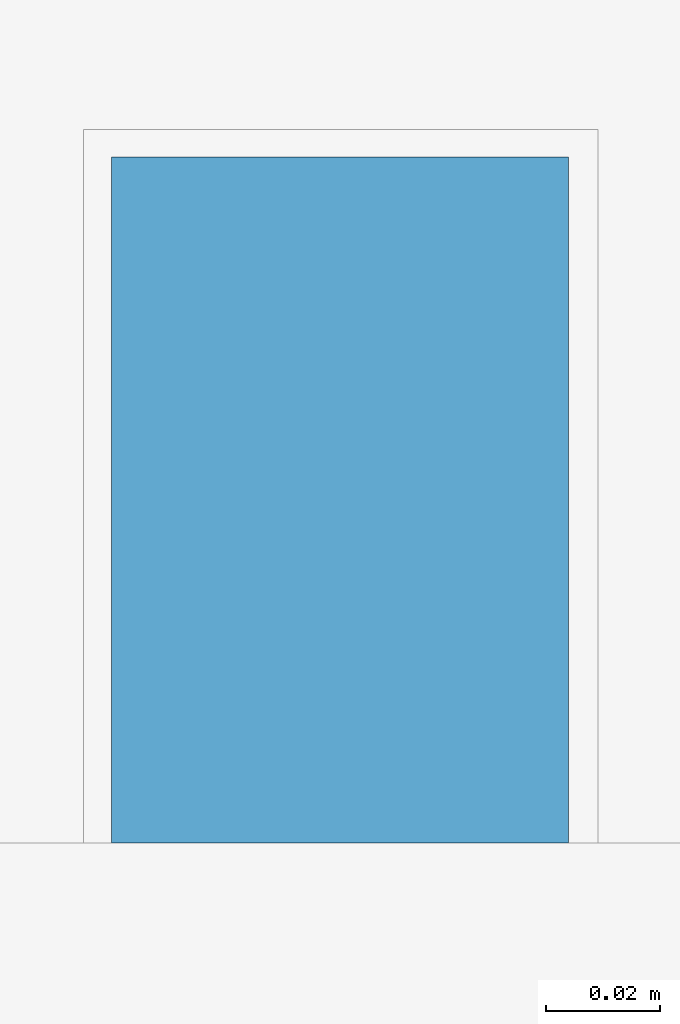
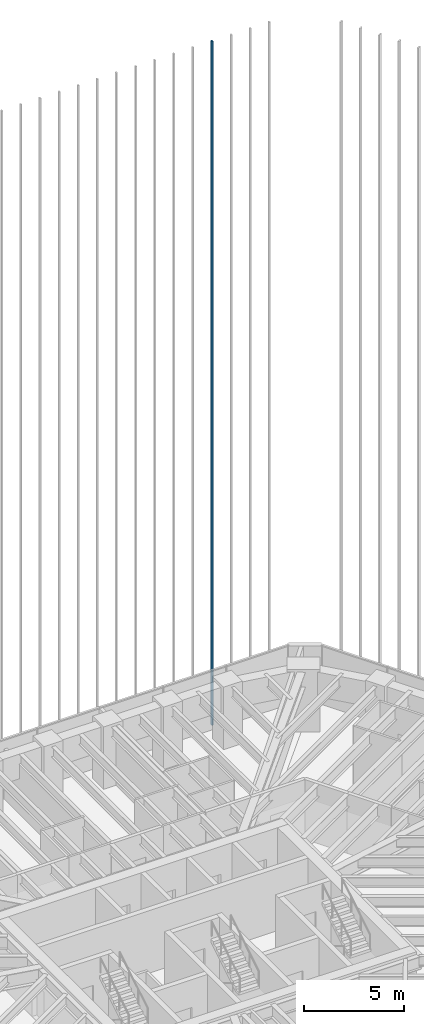
# One storey, part 103 of 127: 1 member, 1 element without a shape of its own.
"""IFC4 building model written with IfcOpenShell, lengths in metres."""

from ifc_helpers import new_model, si_unit, direction, frame, origin, origin_2d, place, context, subcontext, project, spatial, rectangle, extrude, material, material_profile, profile_set, type_object, element, aggregate, save


model = new_model("IFC4")

# Units and contexts
model_context = context("Model", 3, precision=1e-05, world=origin(), true_north=direction((0.0, 1.0)))
body_context = subcontext(model_context, "Body", "Model", "MODEL_VIEW")
ifc_project = project(units=[si_unit("LENGTHUNIT", "METRE"), si_unit("AREAUNIT", "SQUARE_METRE"), si_unit("VOLUMEUNIT", "CUBIC_METRE"), si_unit("PLANEANGLEUNIT", "RADIAN"), si_unit("MASSUNIT", "GRAM", prefix="KILO")], contexts=[model_context])

# Site, building, storey
site_placement = place(None, origin())
site = spatial("IfcSite", under=ifc_project, at=site_placement, CompositionType="ELEMENT")
building_placement = place(site_placement, origin())
building = spatial("IfcBuilding", under=site, at=building_placement, Name="Sandreach Pilgrim Tower", CompositionType="ELEMENT")
storey_placement = place(building_placement, frame((0.0, 0.0, 257.0)))
storey = spatial("IfcBuildingStorey", under=building, at=storey_placement, Name="L64", CompositionType="ELEMENT", Elevation=257.0)

# Curtain wall, member
ifc_material_1 = material(Name="Aluminium framed curtain wall", Category="aluminium")
curtain_wall_type = type_object("IfcCurtainWallType", Name="Suite tower curtain wall", PredefinedType="NOTDEFINED", material=ifc_material_1)
curtain_wall_placement = place(storey_placement, origin())
curtain_wall = element("IfcCurtainWall", 1, at=curtain_wall_placement, inside=storey, type_object=curtain_wall_type, Name="CW-4 L64 N", PredefinedType="NOTDEFINED")
ifc_material_2 = material(Name="Extruded terracotta on aluminium core", Category="masonry")
ifc_material_profile = material_profile(ifc_material_2, rectangle(XDim=0.080078125, YDim=0.1201171875, at=origin_2d()), Name="TBN 80X120")
ifc_profile_set = profile_set([ifc_material_profile], Name="Extruded terracotta on aluminium core")
member_type = type_object("IfcMemberType", Name="Terracotta baguette north", PredefinedType="USERDEFINED", material=ifc_profile_set)
member_placement = place(storey_placement, frame((12.1044921875, 20.1865234375, 0.0), z_axis=(0.0, 0.0, 1.0), x_axis=(1.0, 0.0, 0.0)))
member = element("IfcMember", 2, at=member_placement, type_object=member_type, Name="Baguette Z4 N26", ObjectType="BAGUETTE", PredefinedType="USERDEFINED", context=body_context, shape_type="SweptSolid", body=[
    extrude(rectangle(XDim=0.080078125, YDim=0.1201171875, at=origin_2d()), origin(), (0.0, 0.0, 1.0), 41.639892578125),
])
aggregate(curtain_wall, [member])

save(model, "model.ifc")
